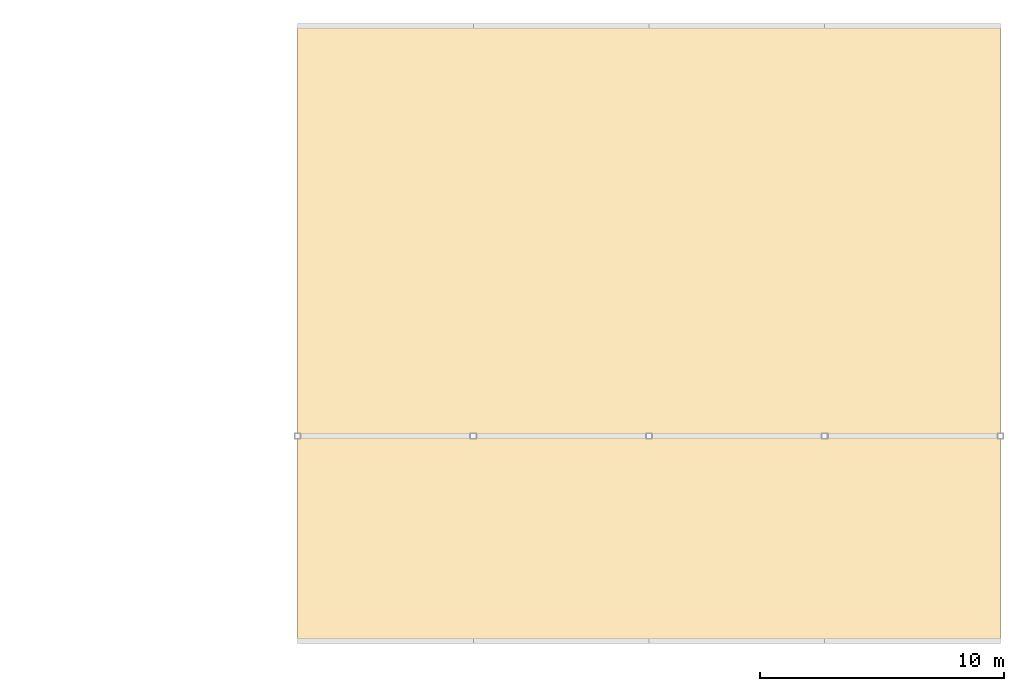
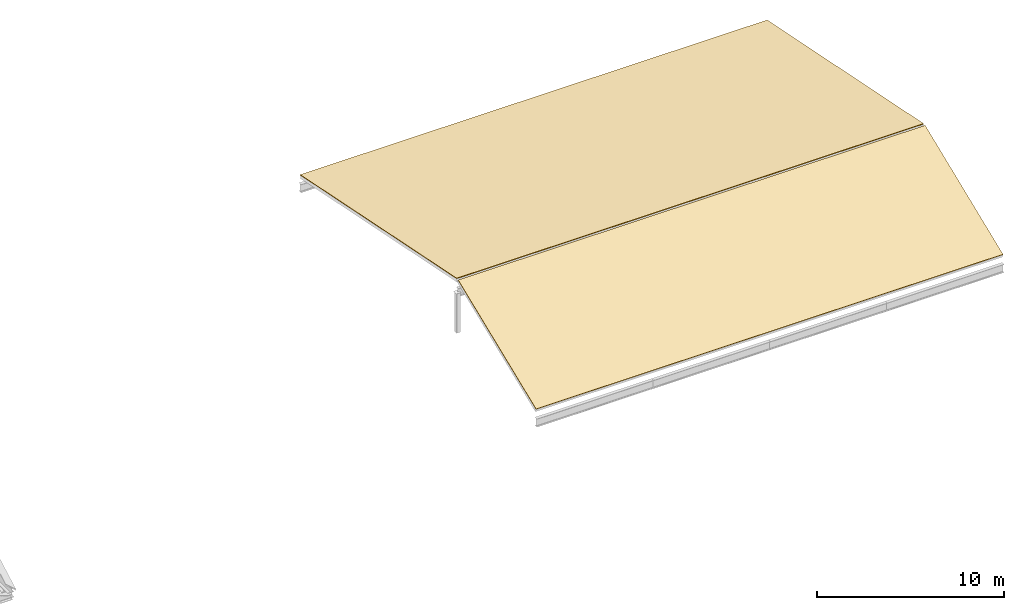
# One storey, part 13 of 13: 2 coverings, 2 elements without a shape of their own.
"""IFC4 building model written with IfcOpenShell, lengths in metres."""

from ifc_helpers import new_model, si_unit, direction, frame, origin, place, context, subcontext, project, spatial, polyline, outline, extrude, material, layer, layer_set, type_object, element, aggregate, save


model = new_model("IFC4")

# Units and contexts
model_context = context("Model", 3, precision=1e-05, world=origin(), true_north=direction((0.0, 1.0)))
body_context = subcontext(model_context, "Body", "Model", "MODEL_VIEW")
ifc_project = project(units=[si_unit("LENGTHUNIT", "METRE"), si_unit("AREAUNIT", "SQUARE_METRE"), si_unit("VOLUMEUNIT", "CUBIC_METRE"), si_unit("PLANEANGLEUNIT", "RADIAN"), si_unit("MASSUNIT", "GRAM", prefix="KILO")], contexts=[model_context])

# Site, building, storey
site_placement = place(None, origin())
site = spatial("IfcSite", under=ifc_project, at=site_placement, CompositionType="ELEMENT")
building_placement = place(site_placement, origin())
building = spatial("IfcBuilding", under=site, at=building_placement, Name="Calvrana Isthmian Art Gallery", CompositionType="ELEMENT")
storey_placement = place(building_placement, frame((0.0, 0.0, 29.39990234375)))
storey = spatial("IfcBuildingStorey", under=building, at=storey_placement, Name="RF", CompositionType="ELEMENT", Elevation=29.39990234375)

# Roof, covering
ifc_material = material(Name="Standing-seam zinc-aluminium roofing", Category="aluminium")
ifc_layer_1 = layer(ifc_material, 0.199951171875, Name="Standing-seam zinc-aluminium roofing")
ifc_layer_set_1 = layer_set([ifc_layer_1], Name="Standing-seam zinc-aluminium roofing")
roof_type = type_object("IfcRoofType", Name="ROOF-ASM-GABLE", PredefinedType="GABLE_ROOF", material=ifc_layer_set_1)
roof_1_placement = place(storey_placement, origin())
roof_1 = element("IfcRoof", 1, at=roof_1_placement, inside=storey, type_object=roof_type, Name="Roof assembly SROOF_V4_S", PredefinedType="GABLE_ROOF")
ifc_layer_2 = layer(ifc_material, 0.0400390625, Name="Standing-seam zinc-aluminium roofing")
ifc_layer_set_2 = layer_set([ifc_layer_2], Name="Standing-seam zinc-aluminium roofing")
covering_type = type_object("IfcCoveringType", Name="COV-SLROOF-ZINC", PredefinedType="ROOFING", material=ifc_layer_set_2)
covering_1_placement = place(storey_placement, frame((112.800048828125, 21.60009765625, 0.0400390625), z_axis=(0.0, -0.375204999955, 0.926941857944), x_axis=(1.0, 0.0, 0.0)))
covering_1 = element("IfcCovering", 2, at=covering_1_placement, type_object=covering_type, Name="Standing-seam roof covering SROOF_V4_S", PredefinedType="ROOFING", context=body_context, shape_type="SweptSolid", body=[
    extrude(outline(polyline([(0.0, 0.0), (28.800048828125, 0.0), (28.800048828125, 8.975562110448397), (0.0, 8.975562110448397), (0.0, 0.0)])), origin(), (0.0, 0.0, -1.0), 0.0400390625),
])
aggregate(roof_1, [covering_1])

roof_2_placement = place(storey_placement, origin())
roof_2 = element("IfcRoof", 3, at=roof_2_placement, inside=storey, type_object=roof_type, Name="Roof assembly SROOF_V4_N", PredefinedType="GABLE_ROOF")
covering_2_placement = place(storey_placement, frame((112.800048828125, 30.080078125, 3.423828125), z_axis=(0.0, 0.198358689133, 0.980129496773), x_axis=(1.0, 0.0, 0.0)))
covering_2 = element("IfcCovering", 4, at=covering_2_placement, type_object=covering_type, Name="Standing-seam roof covering SROOF_V4_N", PredefinedType="ROOFING", context=body_context, shape_type="SweptSolid", body=[
    extrude(outline(polyline([(0.0, 0.0), (28.800048828125, 0.0), (28.800048828125, 17.05894043406134), (0.0, 17.05894043406134), (0.0, 0.0)])), origin(), (0.0, 0.0, -1.0), 0.0400390625),
])
aggregate(roof_2, [covering_2])

save(model, "model.ifc")
